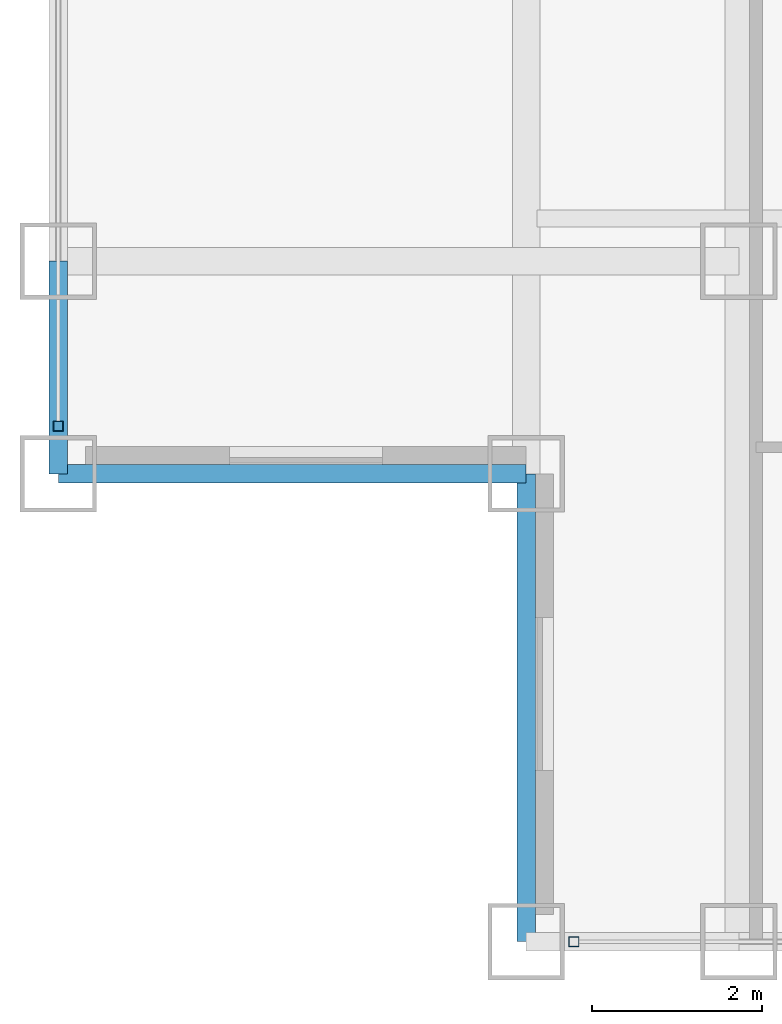
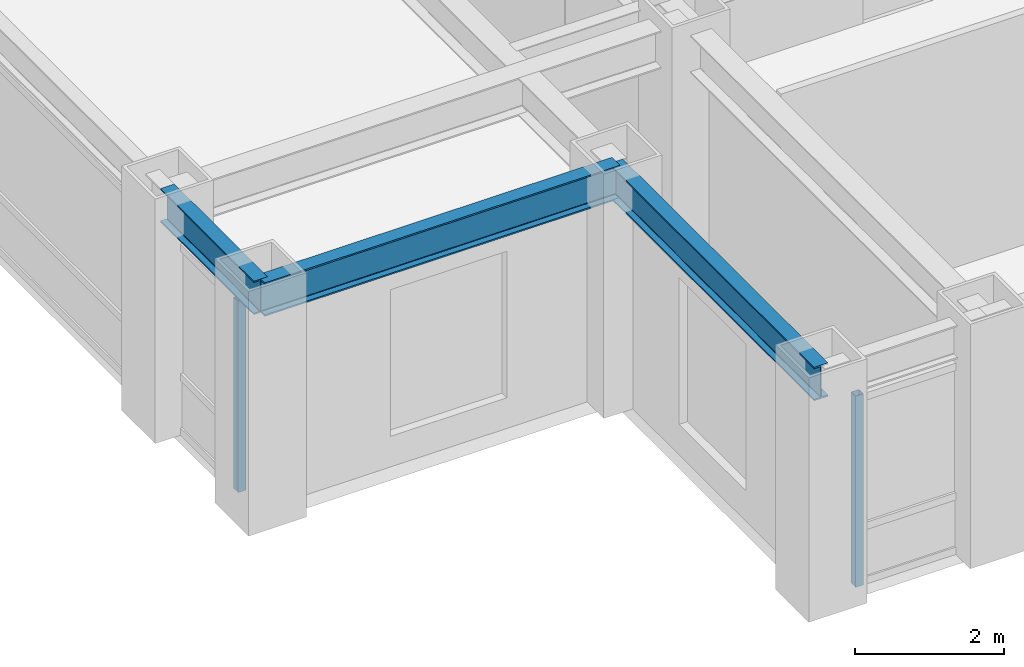
# One storey, part 2 of 22: 3 beams, 2 members, 2 elements without a shape of their own.
"""IFC4 building model written with IfcOpenShell, lengths in metres."""

from ifc_helpers import new_model, si_unit, direction, frame, origin, origin_2d, place, context, subcontext, project, spatial, hollow_rectangle, i_section, extrude, source, transform, mapped, material, material_profile, profile_set, type_object, element, aggregate, save


model = new_model("IFC4")

# Units and contexts
model_context = context("Model", 3, precision=1e-05, world=origin(), true_north=direction((0.0, 1.0)))
body_context = subcontext(model_context, "Body", "Model", "MODEL_VIEW")
ifc_project = project(units=[si_unit("LENGTHUNIT", "METRE"), si_unit("AREAUNIT", "SQUARE_METRE"), si_unit("VOLUMEUNIT", "CUBIC_METRE"), si_unit("PLANEANGLEUNIT", "RADIAN"), si_unit("MASSUNIT", "GRAM", prefix="KILO")], contexts=[model_context])

# Site, building, storey
site_placement = place(None, origin())
site = spatial("IfcSite", under=ifc_project, at=site_placement, CompositionType="ELEMENT")
building_placement = place(site_placement, origin())
building = spatial("IfcBuilding", under=site, at=building_placement, Name="Khorayat Bourse Tower", CompositionType="ELEMENT")
storey_placement = place(building_placement, frame((0.0, 0.0, 289.5)))
storey = spatial("IfcBuildingStorey", under=building, at=storey_placement, Name="L68", CompositionType="ELEMENT", Elevation=289.5)

# Beams
ifc_material_1 = material(Name="Steel ASTM A992 Grade 50", Category="steel")
ifc_material_profile_1 = material_profile(ifc_material_1, i_section(OverallWidth=0.214111328125, OverallDepth=0.549072265625, WebThickness=0.0146484375, FlangeThickness=0.023681640625, FilletRadius=0.013916015625, at=origin_2d()), Name="W530X138")
ifc_profile_set_1 = profile_set([ifc_material_profile_1], Name="Steel ASTM A992 Grade 50")
beam_type = type_object("IfcBeamType", Name="BM-SPAN-530", PredefinedType="SPANDREL", material=ifc_profile_set_1)
shared_shape_1 = source(origin(), body_context, "Body", "SweptSolid", [
    extrude(i_section(OverallWidth=0.214111328125, OverallDepth=0.549072265625, WebThickness=0.0146484375, FlangeThickness=0.023681640625, FilletRadius=0.013916015625, at=origin_2d()), origin(), (0.0, 0.0, 1.0), 2.5),
])
beam_placement = place(storey_placement, frame((-28.0, -22.5, 3.505615234375), z_axis=(0.0, 1.0, 0.0), x_axis=(-1.0, 0.0, 0.0)))
element("IfcBeam", 1, at=beam_placement, inside=storey, type_object=beam_type, Name="L68 BM-SPAN-530 BM-L68-SPN-061", PredefinedType="SPANDREL", context=body_context, shape_type="MappedRepresentation", body=[
    mapped(shared_shape_1, transform((0.0, 0.0, 0.0), scale=1.0)),
])
shared_shape_2 = source(origin(), body_context, "Body", "SweptSolid", [
    extrude(i_section(OverallWidth=0.214111328125, OverallDepth=0.549072265625, WebThickness=0.0146484375, FlangeThickness=0.023681640625, FilletRadius=0.013916015625, at=origin_2d()), origin(), (0.0, 0.0, 1.0), 5.5),
])
for number, where, z_axis, x_axis, name in (
    (2, (-28.0, -22.5, 3.505615234375), (1.0, 0.0, 0.0), (0.0, 1.0, 0.0), "L68 BM-SPAN-530 BM-L68-SPN-062"),
    (3, (-22.5, -28.0, 3.505615234375), (0.0, 1.0, 0.0), (-1.0, 0.0, 0.0), "L68 BM-SPAN-530 BM-L68-SPN-063"),
):
    element("IfcBeam", number, at=place(storey_placement, frame(where, z_axis=z_axis, x_axis=x_axis)), inside=storey, type_object=beam_type, Name=name, PredefinedType="SPANDREL", context=body_context, shape_type="MappedRepresentation", body=[
        mapped(shared_shape_2, transform((0.0, 0.0, 0.0), scale=1.0)),
    ])

# Curtain wall, member
ifc_material_2 = material(Name="Aluminium EN AW-6063 T6", Category="aluminium")
curtain_wall_type = type_object("IfcCurtainWallType", Name="CW-SYS-04", PredefinedType="NOTDEFINED", material=ifc_material_2)
curtain_wall_1_placement = place(storey_placement, origin())
curtain_wall_1 = element("IfcCurtainWall", 4, at=curtain_wall_1_placement, inside=storey, type_object=curtain_wall_type, Name="L68 Curtain Wall CW-L68-S1", PredefinedType="NOTDEFINED")
ifc_material_profile_2 = material_profile(ifc_material_2, hollow_rectangle(XDim=0.1201171875, YDim=0.1201171875, WallThickness=0.0048828125, at=origin_2d()), Name="ALU 120x120x5")
ifc_profile_set_2 = profile_set([ifc_material_profile_2], Name="Aluminium EN AW-6063 T6")
member_type = type_object("IfcMemberType", Name="CWM-VERT-120", PredefinedType="MULLION", material=ifc_profile_set_2)
shared_shape_3 = source(origin(), body_context, "Body", "SweptSolid", [
    extrude(hollow_rectangle(XDim=0.1201171875, YDim=0.1201171875, WallThickness=0.0048828125, at=origin_2d()), origin(), (0.0, 0.0, 1.0), 3.1298828125),
])
member_1_placement = place(storey_placement, frame((-21.93994140625, -28.0, 0.0), z_axis=(0.0, 0.0, 1.0), x_axis=(0.0, 1.0, 0.0)))
member_1 = element("IfcMember", 5, at=member_1_placement, type_object=member_type, Name="CW-L68-S1 Vertical Mullion 1", PredefinedType="MULLION", context=body_context, shape_type="MappedRepresentation", body=[
    mapped(shared_shape_3, transform((0.0, 0.0, 0.0), scale=1.0)),
])
aggregate(curtain_wall_1, [member_1])

curtain_wall_2_placement = place(storey_placement, origin())
curtain_wall_2 = element("IfcCurtainWall", 6, at=curtain_wall_2_placement, inside=storey, type_object=curtain_wall_type, Name="L68 Curtain Wall CW-L68-W1", PredefinedType="NOTDEFINED")
member_2_placement = place(storey_placement, frame((-28.0, -21.93994140625, 0.0), z_axis=(0.0, 0.0, 1.0), x_axis=(-1.0, 0.0, 0.0)))
member_2 = element("IfcMember", 7, at=member_2_placement, type_object=member_type, Name="CW-L68-W1 Vertical Mullion 1", PredefinedType="MULLION", context=body_context, shape_type="MappedRepresentation", body=[
    mapped(shared_shape_3, transform((0.0, 0.0, 0.0), scale=1.0)),
])
aggregate(curtain_wall_2, [member_2])

save(model, "model.ifc")
